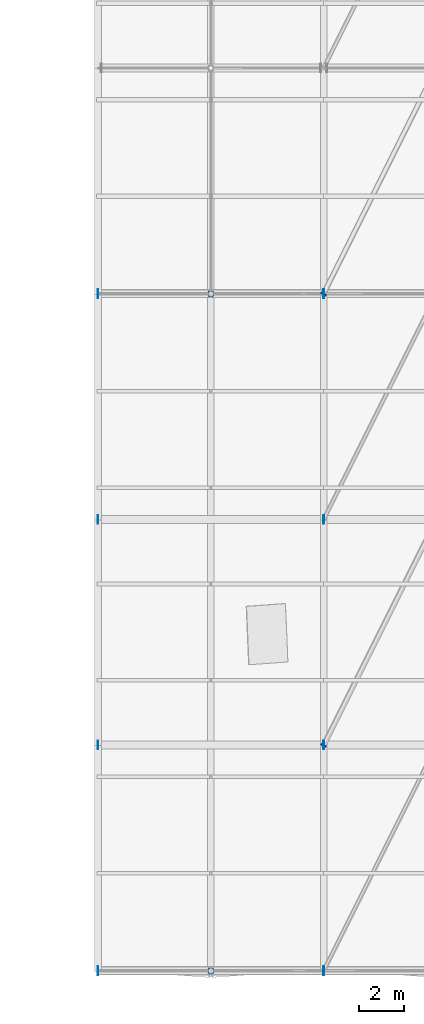
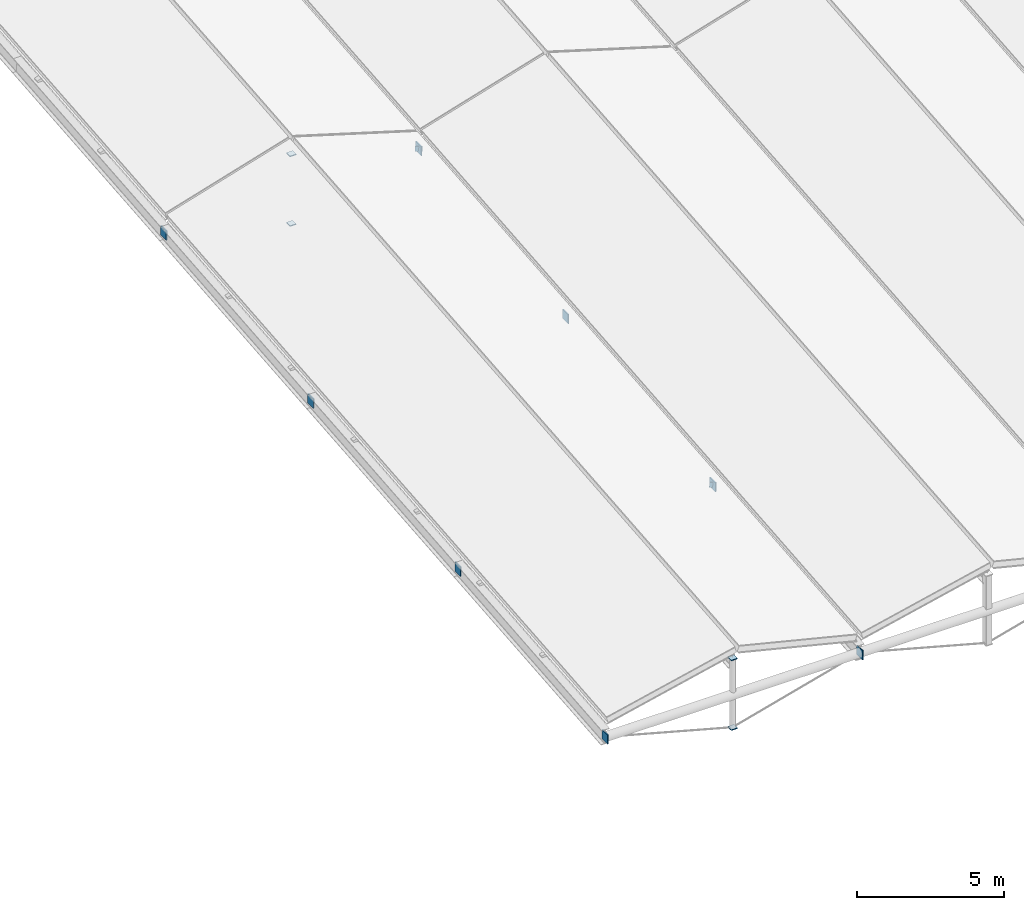
# One storey, part 77 of 90: 14 plates.
"""IFC4 building model written with IfcOpenShell, lengths in metres."""

from ifc_helpers import new_model, si_unit, direction, frame, origin, origin_2d, place, context, subcontext, project, spatial, rectangle, extrude, material, layer, layer_set, type_object, element, save


model = new_model("IFC4")

# Units and contexts
model_context = context("Model", 3, precision=1e-05, world=origin(), true_north=direction((0.0, 1.0)))
body_context = subcontext(model_context, "Body", "Model", "MODEL_VIEW")
ifc_project = project(units=[si_unit("LENGTHUNIT", "METRE"), si_unit("AREAUNIT", "SQUARE_METRE"), si_unit("VOLUMEUNIT", "CUBIC_METRE"), si_unit("PLANEANGLEUNIT", "RADIAN"), si_unit("MASSUNIT", "GRAM", prefix="KILO"), si_unit("THERMODYNAMICTEMPERATUREUNIT", "KELVIN"), si_unit("POWERUNIT", "WATT")], contexts=[model_context])

# Site, building, storey
site_placement = place(None, origin())
site = spatial("IfcSite", under=ifc_project, at=site_placement, CompositionType="ELEMENT")
building_placement = place(site_placement, origin())
building = spatial("IfcBuilding", under=site, at=building_placement, Name="Korenveer Ferry Terminal", CompositionType="ELEMENT")
storey_placement = place(building_placement, frame((0.0, 0.0, 22.199951171875)))
storey = spatial("IfcBuildingStorey", under=building, at=storey_placement, Name="RF", CompositionType="ELEMENT", Elevation=22.199951171875)

# Plates
ifc_material = material(Name="Steel S355", Category="steel")
ifc_layer_1 = layer(ifc_material, 0.031982421875)
ifc_layer_set_1 = layer_set([ifc_layer_1], Name="Steel S355")
plate_type_1 = type_object("IfcPlateType", Name="STR-PLT-CAP32", PredefinedType="USERDEFINED", material=ifc_layer_set_1)
for number, where, z_axis, x_axis, name in (
    (1, (58.0, 20.0, -12.78369140625), (0.0, 0.0, 1.0), (1.0, 0.0, 0.0), "Hollow section end cap 270"),
    (2, (58.0, 20.0, -9.89208984375), (0.0, 0.0, 1.0), (1.0, 0.0, 0.0), "Hollow section end cap 271"),
    (3, (58.0, 50.0, -10.0595703125), (0.0, 0.0, 1.0), (1.0, 0.0, 0.0), "Hollow section end cap 308"),
    (4, (58.0, 50.0, -7.16796875), (0.0, 0.0, 1.0), (1.0, 0.0, 0.0), "Hollow section end cap 309"),
    (5, (62.98583984375, 29.97216796875, -10.50048828125), (0.437110268059, 0.874220536117, 0.211360043028), (-0.894427191, 0.4472135955, 0.0), "Hollow section end cap 567"),
    (6, (62.98583984375, 49.97216796875, -8.684326171875), (0.437110268059, 0.874220536117, 0.211360043028), (-0.894427191, 0.4472135955, 0.0), "Hollow section end cap 570"),
):
    element("IfcPlate", number, at=place(storey_placement, frame(where, z_axis=z_axis, x_axis=x_axis)), inside=storey, type_object=plate_type_1, Name=name, ObjectType="END CAP PLATE", PredefinedType="USERDEFINED", context=body_context, shape_type="SweptSolid", body=[
        extrude(rectangle(XDim=0.2490234375, YDim=0.2490234375, at=origin_2d()), origin(), (0.0, 0.0, 1.0), 0.031982421875),
    ])
ifc_layer_2 = layer(ifc_material, 0.0419921875)
ifc_layer_set_2 = layer_set([ifc_layer_2], Name="Steel S355")
plate_type_2 = type_object("IfcPlateType", Name="STR-PLT-CAP42", PredefinedType="USERDEFINED", material=ifc_layer_set_2)
for number, where, z_axis, x_axis, name in (
    (7, (52.97802734375, 20.0, -11.401611328125), (1.0, 0.0, 0.0), (0.0, 1.0, 0.0), "Hollow section end cap 268"),
    (8, (62.97998046875, 20.0, -11.401611328125), (1.0, 0.0, 0.0), (0.0, 1.0, 0.0), "Hollow section end cap 269"),
    (9, (52.97802734375, 30.0, -10.49365234375), (1.0, 0.0, 0.0), (0.0, 1.0, 0.0), "Hollow section end cap 290"),
    (10, (62.97998046875, 30.0, -10.49365234375), (1.0, 0.0, 0.0), (0.0, 1.0, 0.0), "Hollow section end cap 291"),
    (11, (52.97802734375, 40.0, -9.585693359375), (1.0, 0.0, 0.0), (0.0, 1.0, 0.0), "Hollow section end cap 298"),
    (12, (62.97998046875, 40.0, -9.585693359375), (1.0, 0.0, 0.0), (0.0, 1.0, 0.0), "Hollow section end cap 299"),
    (13, (52.97802734375, 50.0, -8.677734375), (1.0, 0.0, 0.0), (0.0, 1.0, 0.0), "Hollow section end cap 306"),
    (14, (62.97998046875, 50.0, -8.677734375), (1.0, 0.0, 0.0), (0.0, 1.0, 0.0), "Hollow section end cap 307"),
):
    element("IfcPlate", number, at=place(storey_placement, frame(where, z_axis=z_axis, x_axis=x_axis)), inside=storey, type_object=plate_type_2, Name=name, ObjectType="END CAP PLATE", PredefinedType="USERDEFINED", context=body_context, shape_type="SweptSolid", body=[
        extrude(rectangle(XDim=0.385498046875, YDim=0.385498046875, at=origin_2d()), origin(), (0.0, 0.0, 1.0), 0.0419921875),
    ])

save(model, "model.ifc")
